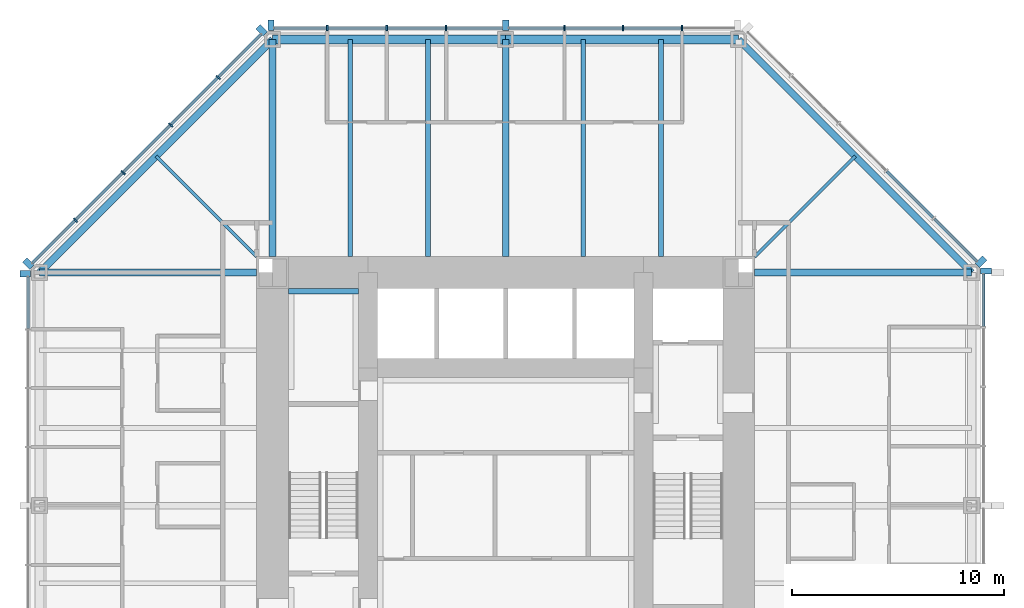
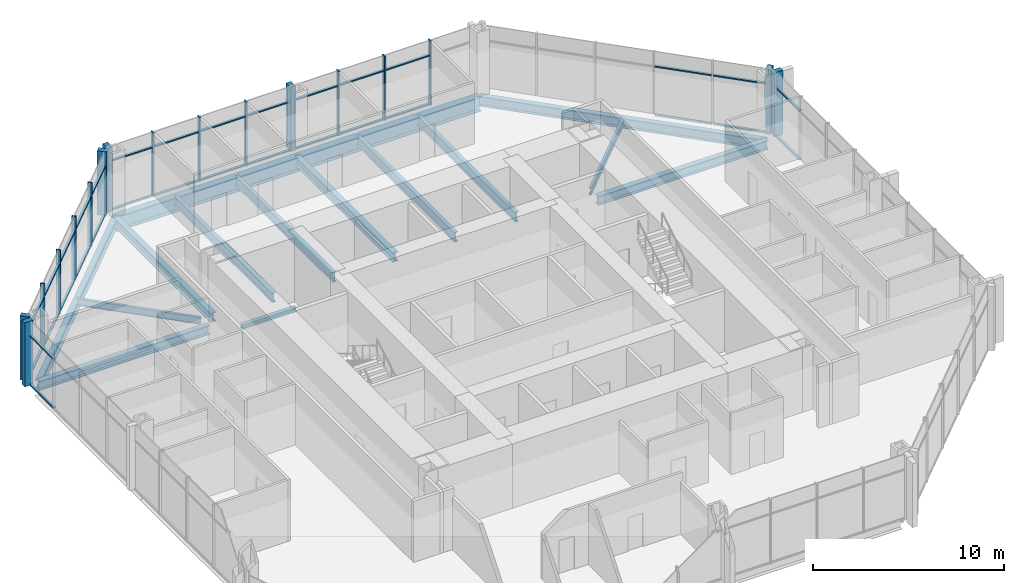
# One storey, part 5 of 12: 49 members, 15 beams, 5 elements without a shape of their own.
"""IFC4 building model written with IfcOpenShell, lengths in metres."""

from ifc_helpers import new_model, si_unit, direction, frame, origin, origin_2d, place, context, subcontext, project, spatial, rectangle, i_section, extrude, material, material_profile, profile_set, type_object, element, aggregate, save


model = new_model("IFC4")

# Units and contexts
model_context = context("Model", 3, precision=1e-05, world=origin(), true_north=direction((0.0, 1.0)))
body_context = subcontext(model_context, "Body", "Model", "MODEL_VIEW")
ifc_project = project(units=[si_unit("LENGTHUNIT", "METRE"), si_unit("AREAUNIT", "SQUARE_METRE"), si_unit("VOLUMEUNIT", "CUBIC_METRE"), si_unit("PLANEANGLEUNIT", "RADIAN"), si_unit("MASSUNIT", "GRAM", prefix="KILO")], contexts=[model_context])

# Site, building, storey
site_placement = place(None, origin())
site = spatial("IfcSite", under=ifc_project, at=site_placement, CompositionType="ELEMENT")
building_placement = place(site_placement, origin())
building = spatial("IfcBuilding", under=site, at=building_placement, Name="Trevanion Tower", CompositionType="ELEMENT")
storey_placement = place(building_placement, frame((0.0, 0.0, 113.10009765625)))
storey = spatial("IfcBuildingStorey", under=building, at=storey_placement, Name="L26", CompositionType="ELEMENT", Elevation=113.10009765625)

# Beams
ifc_material_1 = material(Name="Steel ASTM A992 Grade 50", Category="steel")
ifc_material_profile_1 = material_profile(ifc_material_1, i_section(OverallWidth=0.22900390625, OverallDepth=0.612060546875, WebThickness=0.011962890625, FlangeThickness=0.01953125, at=origin_2d()), Name="W24X84")
ifc_profile_set_1 = profile_set([ifc_material_profile_1], Name="Steel ASTM A992 Grade 50")
beam_type_1 = type_object("IfcBeamType", Name="B7 W24X84", PredefinedType="BEAM", material=ifc_profile_set_1)
for number, where, z_axis, x_axis, name in (
    (1, (7.333251953125, 11.75, -0.49609375), (0.0, 1.0, 0.0), (-1.0, 0.0, 0.0), "B7 L26"),
    (2, (3.666748046875, 11.75, -0.49609375), (0.0, 1.0, 0.0), (-1.0, 0.0, 0.0), "B7 L26"),
    (3, (-3.666748046875, 11.75, -0.49609375), (0.0, 1.0, 0.0), (-1.0, 0.0, 0.0), "B7 L26"),
    (4, (-7.333251953125, 11.75, -0.49609375), (0.0, 1.0, 0.0), (-1.0, 0.0, 0.0), "B7 L26"),
):
    element("IfcBeam", number, at=place(storey_placement, frame(where, z_axis=z_axis, x_axis=x_axis)), inside=storey, type_object=beam_type_1, Name=name, PredefinedType="BEAM", context=body_context, shape_type="SweptSolid", body=[
        extrude(i_section(OverallWidth=0.22900390625, OverallDepth=0.612060546875, WebThickness=0.011962890625, FlangeThickness=0.01953125, at=origin_2d()), origin(), (0.0, 0.0, 1.0), 10.25),
    ])
ifc_material_2 = material(Name="Steel ASTM A992 Grade 50", Category="steel")
ifc_material_profile_2 = material_profile(ifc_material_2, i_section(OverallWidth=0.15234375, OverallDepth=0.449462890625, WebThickness=0.007568359375, FlangeThickness=0.0107421875, at=origin_2d()), Name="W18X35")
ifc_profile_set_2 = profile_set([ifc_material_profile_2], Name="Steel ASTM A992 Grade 50")
beam_type_2 = type_object("IfcBeamType", Name="B8 W18X35", PredefinedType="BEAM", material=ifc_profile_set_2)
for number, where, z_axis, x_axis, name in (
    (5, (11.75, 11.75, -0.414794921875), (0.707106781187, 0.707106781187, 0.0), (-0.707106781187, 0.707106781187, 0.0), "B8 L26"),
    (6, (-11.75, 11.75, -0.414794921875), (-0.707106781187, 0.707106781187, 0.0), (-0.707106781187, -0.707106781187, 0.0), "B8 L26"),
):
    element("IfcBeam", number, at=place(storey_placement, frame(where, z_axis=z_axis, x_axis=x_axis)), inside=storey, type_object=beam_type_2, Name=name, PredefinedType="BEAM", context=body_context, shape_type="SweptSolid", body=[
        extrude(i_section(OverallWidth=0.15234375, OverallDepth=0.449462890625, WebThickness=0.007568359375, FlangeThickness=0.0107421875, at=origin_2d()), origin(), (0.0, 0.0, 1.0), 6.717529296875),
    ])

# Curtain wall, members
ifc_material_3 = material(Name="Aluminium and glass", Category="aluminium")
curtain_wall_type = type_object("IfcCurtainWallType", Name="CW2 curtain wall", PredefinedType="USERDEFINED", material=ifc_material_3)
curtain_wall_1_placement = place(storey_placement, origin())
curtain_wall_1 = element("IfcCurtainWall", 7, at=curtain_wall_1_placement, inside=storey, type_object=curtain_wall_type, Name="CW2 L26 2", ObjectType="UNITISED CURTAIN WALL", PredefinedType="USERDEFINED")
ifc_material_4 = material(Name="Aluminium extrusion, anodised bronze", Category="aluminium")
ifc_material_profile_3 = material_profile(ifc_material_4, rectangle(XDim=0.074951171875, YDim=0.25, at=origin_2d()), Name="CW2 mullion")
ifc_profile_set_3 = profile_set([ifc_material_profile_3], Name="Aluminium extrusion, anodised bronze")
member_type_1 = type_object("IfcMemberType", Name="CW2 mullion", PredefinedType="MULLION", material=ifc_profile_set_3)
member_1_placement = place(storey_placement, frame((8.323486328125, 22.550048828125, -0.190185546875), z_axis=(0.0, 0.0, 1.0), x_axis=(-1.0, 0.0, 0.0)))
member_1 = element("IfcMember", 8, at=member_1_placement, type_object=member_type_1, Name="CW2 mullion 2", PredefinedType="MULLION", context=body_context, shape_type="SweptSolid", body=[
    extrude(rectangle(XDim=0.074951171875, YDim=0.25, at=origin_2d()), origin(), (0.0, 0.0, 1.0), 4.10009765625),
])
member_2_placement = place(storey_placement, frame((5.548828125, 22.550048828125, -0.190185546875), z_axis=(0.0, 0.0, 1.0), x_axis=(-1.0, 0.0, 0.0)))
member_2 = element("IfcMember", 9, at=member_2_placement, type_object=member_type_1, Name="CW2 mullion 3", PredefinedType="MULLION", context=body_context, shape_type="SweptSolid", body=[
    extrude(rectangle(XDim=0.074951171875, YDim=0.25, at=origin_2d()), origin(), (0.0, 0.0, 1.0), 4.10009765625),
])
member_3_placement = place(storey_placement, frame((2.7744140625, 22.550048828125, -0.190185546875), z_axis=(0.0, 0.0, 1.0), x_axis=(-1.0, 0.0, 0.0)))
member_3 = element("IfcMember", 10, at=member_3_placement, type_object=member_type_1, Name="CW2 mullion 4", PredefinedType="MULLION", context=body_context, shape_type="SweptSolid", body=[
    extrude(rectangle(XDim=0.074951171875, YDim=0.25, at=origin_2d()), origin(), (0.0, 0.0, 1.0), 4.10009765625),
])
member_4_placement = place(storey_placement, frame((-2.806884765625, 22.550048828125, -0.190185546875), z_axis=(0.0, 0.0, 1.0), x_axis=(-1.0, 0.0, 0.0)))
member_4 = element("IfcMember", 11, at=member_4_placement, type_object=member_type_1, Name="CW2 mullion 6", PredefinedType="MULLION", context=body_context, shape_type="SweptSolid", body=[
    extrude(rectangle(XDim=0.074951171875, YDim=0.25, at=origin_2d()), origin(), (0.0, 0.0, 1.0), 4.10009765625),
])
member_5_placement = place(storey_placement, frame((-5.614013671875, 22.550048828125, -0.190185546875), z_axis=(0.0, 0.0, 1.0), x_axis=(-1.0, 0.0, 0.0)))
member_5 = element("IfcMember", 12, at=member_5_placement, type_object=member_type_1, Name="CW2 mullion 7", PredefinedType="MULLION", context=body_context, shape_type="SweptSolid", body=[
    extrude(rectangle(XDim=0.074951171875, YDim=0.25, at=origin_2d()), origin(), (0.0, 0.0, 1.0), 4.10009765625),
])
member_6_placement = place(storey_placement, frame((-8.4208984375, 22.550048828125, -0.190185546875), z_axis=(0.0, 0.0, 1.0), x_axis=(-1.0, 0.0, 0.0)))
member_6 = element("IfcMember", 13, at=member_6_placement, type_object=member_type_1, Name="CW2 mullion 8", PredefinedType="MULLION", context=body_context, shape_type="SweptSolid", body=[
    extrude(rectangle(XDim=0.074951171875, YDim=0.25, at=origin_2d()), origin(), (0.0, 0.0, 1.0), 4.10009765625),
])

curtain_wall_2_placement = place(storey_placement, origin())
curtain_wall_2 = element("IfcCurtainWall", 14, at=curtain_wall_2_placement, inside=storey, type_object=curtain_wall_type, Name="CW2 L26 3", ObjectType="UNITISED CURTAIN WALL", PredefinedType="USERDEFINED")
member_7_placement = place(storey_placement, frame((-13.56591796875, 20.2119140625, -0.190185546875), z_axis=(0.0, 0.0, 1.0), x_axis=(-0.707106781187, -0.707106781187, 0.0)))
member_7 = element("IfcMember", 15, at=member_7_placement, type_object=member_type_1, Name="CW2 mullion 2", PredefinedType="MULLION", context=body_context, shape_type="SweptSolid", body=[
    extrude(rectangle(XDim=0.074951171875, YDim=0.25, at=origin_2d()), origin(), (0.0, 0.0, 1.0), 4.10009765625),
])
member_8_placement = place(storey_placement, frame((-15.811767578125, 17.966064453125, -0.190185546875), z_axis=(0.0, 0.0, 1.0), x_axis=(-0.707106781187, -0.707106781187, 0.0)))
member_8 = element("IfcMember", 16, at=member_8_placement, type_object=member_type_1, Name="CW2 mullion 3", PredefinedType="MULLION", context=body_context, shape_type="SweptSolid", body=[
    extrude(rectangle(XDim=0.074951171875, YDim=0.25, at=origin_2d()), origin(), (0.0, 0.0, 1.0), 4.10009765625),
])
member_9_placement = place(storey_placement, frame((-18.057861328125, 15.719970703125, -0.190185546875), z_axis=(0.0, 0.0, 1.0), x_axis=(-0.707106781187, -0.707106781187, 0.0)))
member_9 = element("IfcMember", 17, at=member_9_placement, type_object=member_type_1, Name="CW2 mullion 4", PredefinedType="MULLION", context=body_context, shape_type="SweptSolid", body=[
    extrude(rectangle(XDim=0.074951171875, YDim=0.25, at=origin_2d()), origin(), (0.0, 0.0, 1.0), 4.10009765625),
])
member_10_placement = place(storey_placement, frame((-20.303955078125, 13.473876953125, -0.190185546875), z_axis=(0.0, 0.0, 1.0), x_axis=(-0.707106781187, -0.707106781187, 0.0)))
member_10 = element("IfcMember", 18, at=member_10_placement, type_object=member_type_1, Name="CW2 mullion 5", PredefinedType="MULLION", context=body_context, shape_type="SweptSolid", body=[
    extrude(rectangle(XDim=0.074951171875, YDim=0.25, at=origin_2d()), origin(), (0.0, 0.0, 1.0), 4.10009765625),
])

# Curtain wall, member
curtain_wall_3_placement = place(storey_placement, origin())
curtain_wall_3 = element("IfcCurtainWall", 19, at=curtain_wall_3_placement, inside=storey, type_object=curtain_wall_type, Name="CW2 L26 0", ObjectType="UNITISED CURTAIN WALL", PredefinedType="USERDEFINED")
ifc_material_5 = material(Name="Aluminium extrusion, anodised bronze", Category="aluminium")
ifc_material_profile_4 = material_profile(ifc_material_5, rectangle(XDim=0.300048828125, YDim=0.5, at=origin_2d()), Name="CW2 pier mullion")
ifc_profile_set_4 = profile_set([ifc_material_profile_4], Name="Aluminium extrusion, anodised bronze")
member_type_2 = type_object("IfcMemberType", Name="CW2 pier mullion", PredefinedType="MULLION", material=ifc_profile_set_4)
member_11_placement = place(storey_placement, frame((22.675048828125, 11.077880859375, -0.190185546875), z_axis=(0.0, 0.0, 1.0), x_axis=(0.0, 1.0, 0.0)))
member_11 = element("IfcMember", 20, at=member_11_placement, type_object=member_type_2, Name="CW2 pier mullion 9", PredefinedType="MULLION", context=body_context, shape_type="SweptSolid", body=[
    extrude(rectangle(XDim=0.300048828125, YDim=0.5, at=origin_2d()), origin(), (0.0, 0.0, 1.0), 4.10009765625),
])

curtain_wall_4_placement = place(storey_placement, origin())
curtain_wall_4 = element("IfcCurtainWall", 21, at=curtain_wall_4_placement, inside=storey, type_object=curtain_wall_type, Name="CW2 L26 1", ObjectType="UNITISED CURTAIN WALL", PredefinedType="USERDEFINED")
member_12_placement = place(storey_placement, frame((22.4404296875, 11.51416015625, -0.190185546875), z_axis=(0.0, 0.0, 1.0), x_axis=(-0.707106781187, 0.707106781187, 0.0)))
member_12 = element("IfcMember", 22, at=member_12_placement, type_object=member_type_2, Name="CW2 pier mullion 1", PredefinedType="MULLION", context=body_context, shape_type="SweptSolid", body=[
    extrude(rectangle(XDim=0.300048828125, YDim=0.5, at=origin_2d()), origin(), (0.0, 0.0, 1.0), 4.10009765625),
])

# Member
member_13_placement = place(storey_placement, frame((0.0, 22.675048828125, -0.190185546875), z_axis=(0.0, 0.0, 1.0), x_axis=(-1.0, 0.0, 0.0)))
member_13 = element("IfcMember", 23, at=member_13_placement, type_object=member_type_2, Name="CW2 pier mullion 5", PredefinedType="MULLION", context=body_context, shape_type="SweptSolid", body=[
    extrude(rectangle(XDim=0.300048828125, YDim=0.5, at=origin_2d()), origin(), (0.0, 0.0, 1.0), 4.10009765625),
])

member_14_placement = place(storey_placement, frame((-11.077880859375, 22.675048828125, -0.190185546875), z_axis=(0.0, 0.0, 1.0), x_axis=(-1.0, 0.0, 0.0)))
member_14 = element("IfcMember", 24, at=member_14_placement, type_object=member_type_2, Name="CW2 pier mullion 9", PredefinedType="MULLION", context=body_context, shape_type="SweptSolid", body=[
    extrude(rectangle(XDim=0.300048828125, YDim=0.5, at=origin_2d()), origin(), (0.0, 0.0, 1.0), 4.10009765625),
])

member_15_placement = place(storey_placement, frame((-11.51416015625, 22.4404296875, -0.190185546875), z_axis=(0.0, 0.0, 1.0), x_axis=(-0.707106781187, -0.707106781187, 0.0)))
member_15 = element("IfcMember", 25, at=member_15_placement, type_object=member_type_2, Name="CW2 pier mullion 1", PredefinedType="MULLION", context=body_context, shape_type="SweptSolid", body=[
    extrude(rectangle(XDim=0.300048828125, YDim=0.5, at=origin_2d()), origin(), (0.0, 0.0, 1.0), 4.10009765625),
])

member_16_placement = place(storey_placement, frame((-22.5322265625, 11.42236328125, -0.190185546875), z_axis=(0.0, 0.0, 1.0), x_axis=(-0.707106781187, -0.707106781187, 0.0)))
member_16 = element("IfcMember", 26, at=member_16_placement, type_object=member_type_2, Name="CW2 pier mullion 6", PredefinedType="MULLION", context=body_context, shape_type="SweptSolid", body=[
    extrude(rectangle(XDim=0.300048828125, YDim=0.5, at=origin_2d()), origin(), (0.0, 0.0, 1.0), 4.10009765625),
])

# Curtain wall, member
curtain_wall_5_placement = place(storey_placement, origin())
curtain_wall_5 = element("IfcCurtainWall", 27, at=curtain_wall_5_placement, inside=storey, type_object=curtain_wall_type, Name="CW2 L26 4", ObjectType="UNITISED CURTAIN WALL", PredefinedType="USERDEFINED")
member_17_placement = place(storey_placement, frame((-22.675048828125, 10.94775390625, -0.190185546875), z_axis=(0.0, 0.0, 1.0), x_axis=(0.0, -1.0, 0.0)))
member_17 = element("IfcMember", 28, at=member_17_placement, type_object=member_type_2, Name="CW2 pier mullion 1", PredefinedType="MULLION", context=body_context, shape_type="SweptSolid", body=[
    extrude(rectangle(XDim=0.300048828125, YDim=0.5, at=origin_2d()), origin(), (0.0, 0.0, 1.0), 4.10009765625),
])

# Member
ifc_material_6 = material(Name="Aluminium extrusion, anodised bronze", Category="aluminium")
ifc_material_profile_5 = material_profile(ifc_material_6, rectangle(XDim=0.14990234375, YDim=0.074951171875, at=origin_2d()), Name="CW2 transom")
ifc_profile_set_5 = profile_set([ifc_material_profile_5], Name="Aluminium extrusion, anodised bronze")
member_type_3 = type_object("IfcMemberType", Name="CW2 transom", PredefinedType="USERDEFINED", material=ifc_profile_set_5)
member_18_placement = place(storey_placement, frame((22.550048828125, 8.45849609375, -0.152587890625), z_axis=(0.0, 1.0, 0.0), x_axis=(-1.0, 0.0, 0.0)))
member_18 = element("IfcMember", 29, at=member_18_placement, type_object=member_type_3, Name="CW2 transom 8.1", ObjectType="TRANSOM", PredefinedType="USERDEFINED", context=body_context, shape_type="SweptSolid", body=[
    extrude(rectangle(XDim=0.14990234375, YDim=0.074951171875, at=origin_2d()), origin(), (0.0, 0.0, 1.0), 2.46923828125),
])

member_19_placement = place(storey_placement, frame((22.550048828125, 8.45849609375, 2.9599609375), z_axis=(0.0, 1.0, 0.0), x_axis=(-1.0, 0.0, 0.0)))
member_19 = element("IfcMember", 30, at=member_19_placement, type_object=member_type_3, Name="CW2 transom 8.2", ObjectType="TRANSOM", PredefinedType="USERDEFINED", context=body_context, shape_type="SweptSolid", body=[
    extrude(rectangle(XDim=0.14990234375, YDim=0.074951171875, at=origin_2d()), origin(), (0.0, 0.0, 1.0), 2.46923828125),
])

aggregate(curtain_wall_3, [member_11, member_18, member_19])

member_20_placement = place(storey_placement, frame((22.245849609375, 11.531982421875, -0.152587890625), z_axis=(-0.707106781187, 0.707106781187, 0.0), x_axis=(-0.707106781187, -0.707106781187, 0.0)))
member_20 = element("IfcMember", 31, at=member_20_placement, type_object=member_type_3, Name="CW2 transom 1.1", ObjectType="TRANSOM", PredefinedType="USERDEFINED", context=body_context, shape_type="SweptSolid", body=[
    extrude(rectangle(XDim=0.14990234375, YDim=0.074951171875, at=origin_2d()), origin(), (0.0, 0.0, 1.0), 2.8388671875),
])

member_21_placement = place(storey_placement, frame((22.245849609375, 11.531982421875, 2.9599609375), z_axis=(-0.707106781187, 0.707106781187, 0.0), x_axis=(-0.707106781187, -0.707106781187, 0.0)))
member_21 = element("IfcMember", 32, at=member_21_placement, type_object=member_type_3, Name="CW2 transom 1.2", ObjectType="TRANSOM", PredefinedType="USERDEFINED", context=body_context, shape_type="SweptSolid", body=[
    extrude(rectangle(XDim=0.14990234375, YDim=0.074951171875, at=origin_2d()), origin(), (0.0, 0.0, 1.0), 2.8388671875),
])

member_22_placement = place(storey_placement, frame((20.185546875, 13.59228515625, -0.152587890625), z_axis=(-0.707106781187, 0.707106781187, 0.0), x_axis=(-0.707106781187, -0.707106781187, 0.0)))
member_22 = element("IfcMember", 33, at=member_22_placement, type_object=member_type_3, Name="CW2 transom 2.1", ObjectType="TRANSOM", PredefinedType="USERDEFINED", context=body_context, shape_type="SweptSolid", body=[
    extrude(rectangle(XDim=0.14990234375, YDim=0.074951171875, at=origin_2d()), origin(), (0.0, 0.0, 1.0), 3.1015625),
])

member_23_placement = place(storey_placement, frame((20.185546875, 13.59228515625, 2.9599609375), z_axis=(-0.707106781187, 0.707106781187, 0.0), x_axis=(-0.707106781187, -0.707106781187, 0.0)))
member_23 = element("IfcMember", 34, at=member_23_placement, type_object=member_type_3, Name="CW2 transom 2.2", ObjectType="TRANSOM", PredefinedType="USERDEFINED", context=body_context, shape_type="SweptSolid", body=[
    extrude(rectangle(XDim=0.14990234375, YDim=0.074951171875, at=origin_2d()), origin(), (0.0, 0.0, 1.0), 3.1015625),
])

aggregate(curtain_wall_4, [member_12, member_20, member_21, member_22, member_23])

member_24_placement = place(storey_placement, frame((8.285888671875, 22.550048828125, -0.152587890625), z_axis=(-1.0, 0.0, 0.0), x_axis=(0.0, -1.0, 0.0)))
member_24 = element("IfcMember", 35, at=member_24_placement, type_object=member_type_3, Name="CW2 transom 2.1", ObjectType="TRANSOM", PredefinedType="USERDEFINED", context=body_context, shape_type="SweptSolid", body=[
    extrude(rectangle(XDim=0.14990234375, YDim=0.074951171875, at=origin_2d()), origin(), (0.0, 0.0, 1.0), 2.699462890625),
])

member_25_placement = place(storey_placement, frame((8.285888671875, 22.550048828125, 2.9599609375), z_axis=(-1.0, 0.0, 0.0), x_axis=(0.0, -1.0, 0.0)))
member_25 = element("IfcMember", 36, at=member_25_placement, type_object=member_type_3, Name="CW2 transom 2.2", ObjectType="TRANSOM", PredefinedType="USERDEFINED", context=body_context, shape_type="SweptSolid", body=[
    extrude(rectangle(XDim=0.14990234375, YDim=0.074951171875, at=origin_2d()), origin(), (0.0, 0.0, 1.0), 2.699462890625),
])

member_26_placement = place(storey_placement, frame((5.511474609375, 22.550048828125, -0.152587890625), z_axis=(-1.0, 0.0, 0.0), x_axis=(0.0, -1.0, 0.0)))
member_26 = element("IfcMember", 37, at=member_26_placement, type_object=member_type_3, Name="CW2 transom 3.1", ObjectType="TRANSOM", PredefinedType="USERDEFINED", context=body_context, shape_type="SweptSolid", body=[
    extrude(rectangle(XDim=0.14990234375, YDim=0.074951171875, at=origin_2d()), origin(), (0.0, 0.0, 1.0), 2.699462890625),
])

member_27_placement = place(storey_placement, frame((5.511474609375, 22.550048828125, 2.9599609375), z_axis=(-1.0, 0.0, 0.0), x_axis=(0.0, -1.0, 0.0)))
member_27 = element("IfcMember", 38, at=member_27_placement, type_object=member_type_3, Name="CW2 transom 3.2", ObjectType="TRANSOM", PredefinedType="USERDEFINED", context=body_context, shape_type="SweptSolid", body=[
    extrude(rectangle(XDim=0.14990234375, YDim=0.074951171875, at=origin_2d()), origin(), (0.0, 0.0, 1.0), 2.699462890625),
])

member_28_placement = place(storey_placement, frame((2.737060546875, 22.550048828125, -0.152587890625), z_axis=(-1.0, 0.0, 0.0), x_axis=(0.0, -1.0, 0.0)))
member_28 = element("IfcMember", 39, at=member_28_placement, type_object=member_type_3, Name="CW2 transom 4.1", ObjectType="TRANSOM", PredefinedType="USERDEFINED", context=body_context, shape_type="SweptSolid", body=[
    extrude(rectangle(XDim=0.14990234375, YDim=0.074951171875, at=origin_2d()), origin(), (0.0, 0.0, 1.0), 2.587158203125),
])

member_29_placement = place(storey_placement, frame((2.737060546875, 22.550048828125, 2.9599609375), z_axis=(-1.0, 0.0, 0.0), x_axis=(0.0, -1.0, 0.0)))
member_29 = element("IfcMember", 40, at=member_29_placement, type_object=member_type_3, Name="CW2 transom 4.2", ObjectType="TRANSOM", PredefinedType="USERDEFINED", context=body_context, shape_type="SweptSolid", body=[
    extrude(rectangle(XDim=0.14990234375, YDim=0.074951171875, at=origin_2d()), origin(), (0.0, 0.0, 1.0), 2.587158203125),
])

member_30_placement = place(storey_placement, frame((-0.14990234375, 22.550048828125, -0.152587890625), z_axis=(-1.0, 0.0, 0.0), x_axis=(0.0, -1.0, 0.0)))
member_30 = element("IfcMember", 41, at=member_30_placement, type_object=member_type_3, Name="CW2 transom 5.1", ObjectType="TRANSOM", PredefinedType="USERDEFINED", context=body_context, shape_type="SweptSolid", body=[
    extrude(rectangle(XDim=0.14990234375, YDim=0.074951171875, at=origin_2d()), origin(), (0.0, 0.0, 1.0), 2.619384765625),
])

member_31_placement = place(storey_placement, frame((-0.14990234375, 22.550048828125, 2.9599609375), z_axis=(-1.0, 0.0, 0.0), x_axis=(0.0, -1.0, 0.0)))
member_31 = element("IfcMember", 42, at=member_31_placement, type_object=member_type_3, Name="CW2 transom 5.2", ObjectType="TRANSOM", PredefinedType="USERDEFINED", context=body_context, shape_type="SweptSolid", body=[
    extrude(rectangle(XDim=0.14990234375, YDim=0.074951171875, at=origin_2d()), origin(), (0.0, 0.0, 1.0), 2.619384765625),
])

member_32_placement = place(storey_placement, frame((-2.844482421875, 22.550048828125, -0.152587890625), z_axis=(-1.0, 0.0, 0.0), x_axis=(0.0, -1.0, 0.0)))
member_32 = element("IfcMember", 43, at=member_32_placement, type_object=member_type_3, Name="CW2 transom 6.1", ObjectType="TRANSOM", PredefinedType="USERDEFINED", context=body_context, shape_type="SweptSolid", body=[
    extrude(rectangle(XDim=0.14990234375, YDim=0.074951171875, at=origin_2d()), origin(), (0.0, 0.0, 1.0), 2.73193359375),
])

member_33_placement = place(storey_placement, frame((-2.844482421875, 22.550048828125, 2.9599609375), z_axis=(-1.0, 0.0, 0.0), x_axis=(0.0, -1.0, 0.0)))
member_33 = element("IfcMember", 44, at=member_33_placement, type_object=member_type_3, Name="CW2 transom 6.2", ObjectType="TRANSOM", PredefinedType="USERDEFINED", context=body_context, shape_type="SweptSolid", body=[
    extrude(rectangle(XDim=0.14990234375, YDim=0.074951171875, at=origin_2d()), origin(), (0.0, 0.0, 1.0), 2.73193359375),
])

member_34_placement = place(storey_placement, frame((-5.6513671875, 22.550048828125, -0.152587890625), z_axis=(-1.0, 0.0, 0.0), x_axis=(0.0, -1.0, 0.0)))
member_34 = element("IfcMember", 45, at=member_34_placement, type_object=member_type_3, Name="CW2 transom 7.1", ObjectType="TRANSOM", PredefinedType="USERDEFINED", context=body_context, shape_type="SweptSolid", body=[
    extrude(rectangle(XDim=0.14990234375, YDim=0.074951171875, at=origin_2d()), origin(), (0.0, 0.0, 1.0), 2.73193359375),
])

member_35_placement = place(storey_placement, frame((-5.6513671875, 22.550048828125, 2.9599609375), z_axis=(-1.0, 0.0, 0.0), x_axis=(0.0, -1.0, 0.0)))
member_35 = element("IfcMember", 46, at=member_35_placement, type_object=member_type_3, Name="CW2 transom 7.2", ObjectType="TRANSOM", PredefinedType="USERDEFINED", context=body_context, shape_type="SweptSolid", body=[
    extrude(rectangle(XDim=0.14990234375, YDim=0.074951171875, at=origin_2d()), origin(), (0.0, 0.0, 1.0), 2.73193359375),
])

member_36_placement = place(storey_placement, frame((-8.45849609375, 22.550048828125, -0.152587890625), z_axis=(-1.0, 0.0, 0.0), x_axis=(0.0, -1.0, 0.0)))
member_36 = element("IfcMember", 47, at=member_36_placement, type_object=member_type_3, Name="CW2 transom 8.1", ObjectType="TRANSOM", PredefinedType="USERDEFINED", context=body_context, shape_type="SweptSolid", body=[
    extrude(rectangle(XDim=0.14990234375, YDim=0.074951171875, at=origin_2d()), origin(), (0.0, 0.0, 1.0), 2.46923828125),
])

member_37_placement = place(storey_placement, frame((-8.45849609375, 22.550048828125, 2.9599609375), z_axis=(-1.0, 0.0, 0.0), x_axis=(0.0, -1.0, 0.0)))
member_37 = element("IfcMember", 48, at=member_37_placement, type_object=member_type_3, Name="CW2 transom 8.2", ObjectType="TRANSOM", PredefinedType="USERDEFINED", context=body_context, shape_type="SweptSolid", body=[
    extrude(rectangle(XDim=0.14990234375, YDim=0.074951171875, at=origin_2d()), origin(), (0.0, 0.0, 1.0), 2.46923828125),
])

aggregate(curtain_wall_1, [member_1, member_2, member_3, member_13, member_4, member_5, member_6, member_14, member_24, member_25, member_26, member_27, member_28, member_29, member_30, member_31, member_32, member_33, member_34, member_35, member_36, member_37])

member_38_placement = place(storey_placement, frame((-11.531982421875, 22.245849609375, -0.152587890625), z_axis=(-0.707106781187, -0.707106781187, 0.0), x_axis=(0.707106781187, -0.707106781187, 0.0)))
member_38 = element("IfcMember", 49, at=member_38_placement, type_object=member_type_3, Name="CW2 transom 1.1", ObjectType="TRANSOM", PredefinedType="USERDEFINED", context=body_context, shape_type="SweptSolid", body=[
    extrude(rectangle(XDim=0.14990234375, YDim=0.074951171875, at=origin_2d()), origin(), (0.0, 0.0, 1.0), 2.8388671875),
])

member_39_placement = place(storey_placement, frame((-11.531982421875, 22.245849609375, 2.9599609375), z_axis=(-0.707106781187, -0.707106781187, 0.0), x_axis=(0.707106781187, -0.707106781187, 0.0)))
member_39 = element("IfcMember", 50, at=member_39_placement, type_object=member_type_3, Name="CW2 transom 1.2", ObjectType="TRANSOM", PredefinedType="USERDEFINED", context=body_context, shape_type="SweptSolid", body=[
    extrude(rectangle(XDim=0.14990234375, YDim=0.074951171875, at=origin_2d()), origin(), (0.0, 0.0, 1.0), 2.8388671875),
])

member_40_placement = place(storey_placement, frame((-13.59228515625, 20.185546875, -0.152587890625), z_axis=(-0.707106781187, -0.707106781187, 0.0), x_axis=(0.707106781187, -0.707106781187, 0.0)))
member_40 = element("IfcMember", 51, at=member_40_placement, type_object=member_type_3, Name="CW2 transom 2.1", ObjectType="TRANSOM", PredefinedType="USERDEFINED", context=body_context, shape_type="SweptSolid", body=[
    extrude(rectangle(XDim=0.14990234375, YDim=0.074951171875, at=origin_2d()), origin(), (0.0, 0.0, 1.0), 3.1015625),
])

member_41_placement = place(storey_placement, frame((-13.59228515625, 20.185546875, 2.9599609375), z_axis=(-0.707106781187, -0.707106781187, 0.0), x_axis=(0.707106781187, -0.707106781187, 0.0)))
member_41 = element("IfcMember", 52, at=member_41_placement, type_object=member_type_3, Name="CW2 transom 2.2", ObjectType="TRANSOM", PredefinedType="USERDEFINED", context=body_context, shape_type="SweptSolid", body=[
    extrude(rectangle(XDim=0.14990234375, YDim=0.074951171875, at=origin_2d()), origin(), (0.0, 0.0, 1.0), 3.1015625),
])

member_42_placement = place(storey_placement, frame((-15.83837890625, 17.939453125, -0.152587890625), z_axis=(-0.707106781187, -0.707106781187, 0.0), x_axis=(0.707106781187, -0.707106781187, 0.0)))
member_42 = element("IfcMember", 53, at=member_42_placement, type_object=member_type_3, Name="CW2 transom 3.1", ObjectType="TRANSOM", PredefinedType="USERDEFINED", context=body_context, shape_type="SweptSolid", body=[
    extrude(rectangle(XDim=0.14990234375, YDim=0.074951171875, at=origin_2d()), origin(), (0.0, 0.0, 1.0), 3.1015625),
])

member_43_placement = place(storey_placement, frame((-15.83837890625, 17.939453125, 2.9599609375), z_axis=(-0.707106781187, -0.707106781187, 0.0), x_axis=(0.707106781187, -0.707106781187, 0.0)))
member_43 = element("IfcMember", 54, at=member_43_placement, type_object=member_type_3, Name="CW2 transom 3.2", ObjectType="TRANSOM", PredefinedType="USERDEFINED", context=body_context, shape_type="SweptSolid", body=[
    extrude(rectangle(XDim=0.14990234375, YDim=0.074951171875, at=origin_2d()), origin(), (0.0, 0.0, 1.0), 3.1015625),
])

member_44_placement = place(storey_placement, frame((-18.08447265625, 15.693359375, -0.152587890625), z_axis=(-0.707106781187, -0.707106781187, 0.0), x_axis=(0.707106781187, -0.707106781187, 0.0)))
member_44 = element("IfcMember", 55, at=member_44_placement, type_object=member_type_3, Name="CW2 transom 4.1", ObjectType="TRANSOM", PredefinedType="USERDEFINED", context=body_context, shape_type="SweptSolid", body=[
    extrude(rectangle(XDim=0.14990234375, YDim=0.074951171875, at=origin_2d()), origin(), (0.0, 0.0, 1.0), 3.10107421875),
])

member_45_placement = place(storey_placement, frame((-18.08447265625, 15.693359375, 2.9599609375), z_axis=(-0.707106781187, -0.707106781187, 0.0), x_axis=(0.707106781187, -0.707106781187, 0.0)))
member_45 = element("IfcMember", 56, at=member_45_placement, type_object=member_type_3, Name="CW2 transom 4.2", ObjectType="TRANSOM", PredefinedType="USERDEFINED", context=body_context, shape_type="SweptSolid", body=[
    extrude(rectangle(XDim=0.14990234375, YDim=0.074951171875, at=origin_2d()), origin(), (0.0, 0.0, 1.0), 3.10107421875),
])

member_46_placement = place(storey_placement, frame((-20.33056640625, 13.447509765625, -0.152587890625), z_axis=(-0.707063781595, -0.707149778163, 0.0), x_axis=(0.707149778163, -0.707063781595, 0.0)))
member_46 = element("IfcMember", 57, at=member_46_placement, type_object=member_type_3, Name="CW2 transom 5.1", ObjectType="TRANSOM", PredefinedType="USERDEFINED", context=body_context, shape_type="SweptSolid", body=[
    extrude(rectangle(XDim=0.14990234375, YDim=0.074951171875, at=origin_2d()), origin(), (0.0, 0.0, 1.0), 2.8388671875),
])

member_47_placement = place(storey_placement, frame((-20.33056640625, 13.447509765625, 2.9599609375), z_axis=(-0.707063781595, -0.707149778163, 0.0), x_axis=(0.707149778163, -0.707063781595, 0.0)))
member_47 = element("IfcMember", 58, at=member_47_placement, type_object=member_type_3, Name="CW2 transom 5.2", ObjectType="TRANSOM", PredefinedType="USERDEFINED", context=body_context, shape_type="SweptSolid", body=[
    extrude(rectangle(XDim=0.14990234375, YDim=0.074951171875, at=origin_2d()), origin(), (0.0, 0.0, 1.0), 2.8388671875),
])

aggregate(curtain_wall_2, [member_15, member_7, member_8, member_9, member_10, member_16, member_38, member_39, member_40, member_41, member_42, member_43, member_44, member_45, member_46, member_47])

member_48_placement = place(storey_placement, frame((-22.550048828125, 10.7978515625, -0.152587890625), z_axis=(0.0, -1.0, 0.0), x_axis=(1.0, 0.0, 0.0)))
member_48 = element("IfcMember", 59, at=member_48_placement, type_object=member_type_3, Name="CW2 transom 1.1", ObjectType="TRANSOM", PredefinedType="USERDEFINED", context=body_context, shape_type="SweptSolid", body=[
    extrude(rectangle(XDim=0.14990234375, YDim=0.074951171875, at=origin_2d()), origin(), (0.0, 0.0, 1.0), 2.43701171875),
])

member_49_placement = place(storey_placement, frame((-22.550048828125, 10.7978515625, 2.9599609375), z_axis=(0.0, -1.0, 0.0), x_axis=(1.0, 0.0, 0.0)))
member_49 = element("IfcMember", 60, at=member_49_placement, type_object=member_type_3, Name="CW2 transom 1.2", ObjectType="TRANSOM", PredefinedType="USERDEFINED", context=body_context, shape_type="SweptSolid", body=[
    extrude(rectangle(XDim=0.14990234375, YDim=0.074951171875, at=origin_2d()), origin(), (0.0, 0.0, 1.0), 2.43701171875),
])

aggregate(curtain_wall_5, [member_17, member_48, member_49])

# Beams
ifc_material_7 = material(Name="Steel ASTM A992 Grade 50", Category="steel")
ifc_material_profile_6 = material_profile(ifc_material_7, i_section(OverallWidth=0.320068359375, OverallDepth=0.584228515625, WebThickness=0.023193359375, FlangeThickness=0.04150390625, at=origin_2d()), Name="W21X201")
ifc_profile_set_6 = profile_set([ifc_material_profile_6], Name="Steel ASTM A992 Grade 50")
beam_type_3 = type_object("IfcBeamType", Name="G4 W21X201", PredefinedType="BEAM", material=ifc_profile_set_6)
for number, where, z_axis, x_axis, name in (
    (61, (11.75, 11.0, -0.482177734375), (1.0, 0.0, 0.0), (0.0, 1.0, 0.0), "G4 L26"),
    (62, (0.0, 11.75, -0.482177734375), (0.0, 1.0, 0.0), (-1.0, 0.0, 0.0), "G4 L26"),
    (63, (-11.0, 11.75, -0.482177734375), (0.0, 1.0, 0.0), (-1.0, 0.0, 0.0), "G4 L26"),
    (64, (-11.75, 11.0, -0.482177734375), (-1.0, 0.0, 0.0), (0.0, -1.0, 0.0), "G4 L26"),
):
    element("IfcBeam", number, at=place(storey_placement, frame(where, z_axis=z_axis, x_axis=x_axis)), inside=storey, type_object=beam_type_3, Name=name, PredefinedType="BEAM", context=body_context, shape_type="SweptSolid", body=[
        extrude(i_section(OverallWidth=0.320068359375, OverallDepth=0.584228515625, WebThickness=0.023193359375, FlangeThickness=0.04150390625, at=origin_2d()), origin(), (0.0, 0.0, 1.0), 10.25),
    ])
ifc_material_8 = material(Name="Steel ASTM A992 Grade 50", Category="steel")
ifc_material_profile_7 = material_profile(ifc_material_8, i_section(OverallWidth=0.256591796875, OverallDepth=0.26416015625, WebThickness=0.011962890625, FlangeThickness=0.01953125, at=origin_2d()), Name="W10X68")
ifc_profile_set_7 = profile_set([ifc_material_profile_7], Name="Steel ASTM A992 Grade 50")
beam_type_4 = type_object("IfcBeamType", Name="LB1 W10X68", PredefinedType="BEAM", material=ifc_profile_set_7)
beam_placement = place(storey_placement, frame((-10.25, 10.12158203125, -0.332275390625), z_axis=(1.0, 0.0, 0.0), x_axis=(0.0, 1.0, 0.0)))
element("IfcBeam", 65, at=beam_placement, inside=storey, type_object=beam_type_4, Name="LB1 L26", PredefinedType="BEAM", context=body_context, shape_type="SweptSolid", body=[
    extrude(i_section(OverallWidth=0.256591796875, OverallDepth=0.26416015625, WebThickness=0.011962890625, FlangeThickness=0.01953125, at=origin_2d()), origin(), (0.0, 0.0, 1.0), 3.300048828125),
])
ifc_material_9 = material(Name="Steel ASTM A992 Grade 50", Category="steel")
ifc_material_profile_8 = material_profile(ifc_material_9, i_section(OverallWidth=0.419189453125, OverallDepth=0.927001953125, WebThickness=0.019287109375, FlangeThickness=0.031982421875, at=origin_2d()), Name="W36X231")
ifc_profile_set_8 = profile_set([ifc_material_profile_8], Name="Steel ASTM A992 Grade 50")
beam_type_5 = type_object("IfcBeamType", Name="SB4 W36X231", PredefinedType="SPANDREL", material=ifc_profile_set_8)
for number, where, z_axis, x_axis, name in (
    (66, (11.0, 22.0, -0.65380859375), (-1.0, 0.0, 0.0), (0.0, -1.0, 0.0), "SB4 L26"),
    (67, (0.0, 22.0, -0.65380859375), (-1.0, 0.0, 0.0), (0.0, -1.0, 0.0), "SB4 L26"),
):
    element("IfcBeam", number, at=place(storey_placement, frame(where, z_axis=z_axis, x_axis=x_axis)), inside=storey, type_object=beam_type_5, Name=name, PredefinedType="SPANDREL", context=body_context, shape_type="SweptSolid", body=[
        extrude(i_section(OverallWidth=0.419189453125, OverallDepth=0.927001953125, WebThickness=0.019287109375, FlangeThickness=0.031982421875, at=origin_2d()), origin(), (0.0, 0.0, 1.0), 11.0),
    ])
ifc_material_10 = material(Name="Steel ASTM A992 Grade 50", Category="steel")
ifc_material_profile_9 = material_profile(ifc_material_10, i_section(OverallWidth=0.32763671875, OverallDepth=0.62744140625, WebThickness=0.0166015625, FlangeThickness=0.027587890625, at=origin_2d()), Name="W24X146")
ifc_profile_set_9 = profile_set([ifc_material_profile_9], Name="Steel ASTM A992 Grade 50")
beam_type_6 = type_object("IfcBeamType", Name="SB5 W24X146", PredefinedType="SPANDREL", material=ifc_profile_set_9)
for number, where, z_axis, x_axis, name in (
    (68, (22.0, 11.0, -0.50390625), (-0.707106781187, 0.707106781187, 0.0), (-0.707106781187, -0.707106781187, 0.0), "SB5 L26"),
    (69, (-11.0, 22.0, -0.50390625), (-0.707106781187, -0.707106781187, 0.0), (0.707106781187, -0.707106781187, 0.0), "SB5 L26"),
):
    element("IfcBeam", number, at=place(storey_placement, frame(where, z_axis=z_axis, x_axis=x_axis)), inside=storey, type_object=beam_type_6, Name=name, PredefinedType="SPANDREL", context=body_context, shape_type="SweptSolid", body=[
        extrude(i_section(OverallWidth=0.32763671875, OverallDepth=0.62744140625, WebThickness=0.0166015625, FlangeThickness=0.027587890625, at=origin_2d()), origin(), (0.0, 0.0, 1.0), 15.556396484375),
    ])

save(model, "model.ifc")
